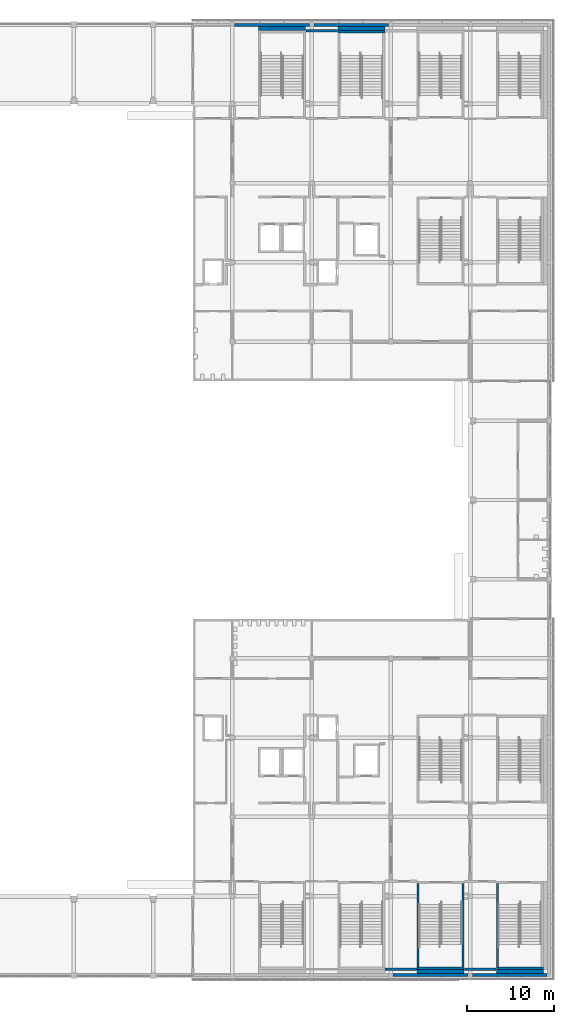
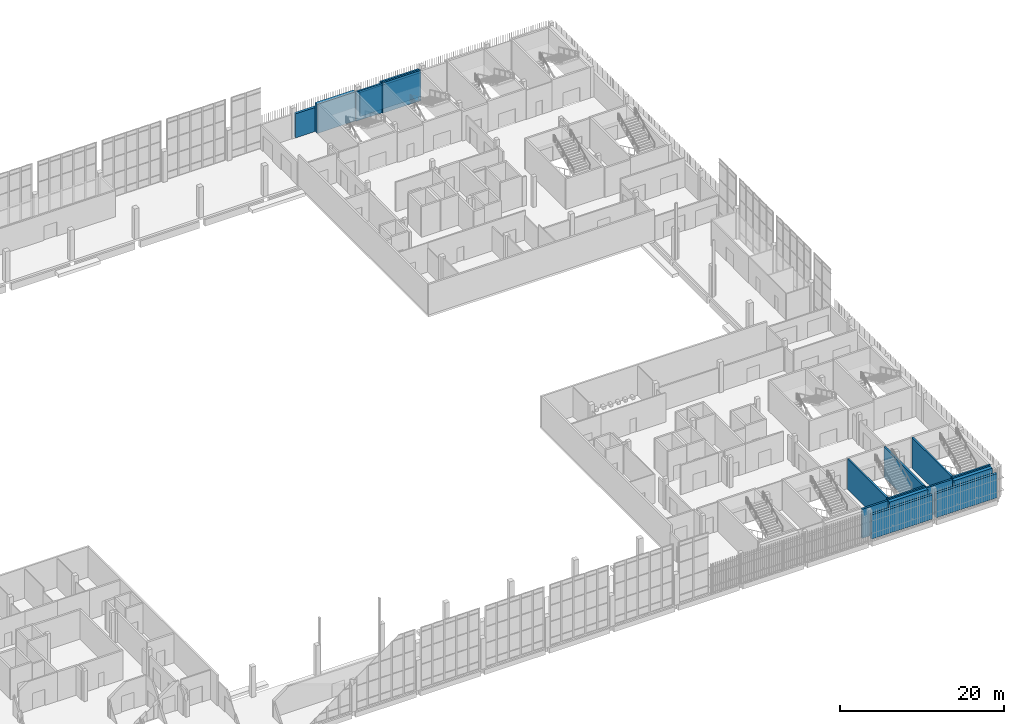
# One storey, part 53 of 91: 17 walls.
"""IFC4 building model written with IfcOpenShell, lengths in metres."""

from ifc_helpers import new_model, si_unit, direction, frame, frame_2d, origin, place, context, subcontext, project, spatial, rectangle, extrude, material, layer, layer_set, type_object, element, save


model = new_model("IFC4")

# Units and contexts
model_context = context("Model", 3, precision=1e-05, world=origin(), true_north=direction((0.0, 1.0)))
body_context = subcontext(model_context, "Body", "Model", "MODEL_VIEW")
ifc_project = project(units=[si_unit("LENGTHUNIT", "METRE"), si_unit("AREAUNIT", "SQUARE_METRE"), si_unit("VOLUMEUNIT", "CUBIC_METRE"), si_unit("PLANEANGLEUNIT", "RADIAN"), si_unit("MASSUNIT", "GRAM", prefix="KILO")], contexts=[model_context])

# Site, building, storey
site_placement = place(None, origin())
site = spatial("IfcSite", under=ifc_project, at=site_placement, CompositionType="ELEMENT")
building_placement = place(site_placement, origin())
building = spatial("IfcBuilding", under=site, at=building_placement, Name="Shirokan Park Arena", CompositionType="ELEMENT")
storey_placement = place(building_placement, frame((0.0, 0.0, 24.570068359375)))
storey = spatial("IfcBuildingStorey", under=building, at=storey_placement, Name="L05", CompositionType="ELEMENT", Elevation=24.570068359375)

# Walls
ifc_material_1 = material(Name="Plaster")
ifc_layer_1 = layer(ifc_material_1, 0.014892578125, Name="Plaster")
ifc_material_2 = material(Name="Concrete blockwork", Category="masonry")
ifc_layer_2 = layer(ifc_material_2, 0.219970703125, Name="Concrete blockwork 220")
ifc_layer_3 = layer(ifc_material_1, 0.014892578125, Name="Plaster")
ifc_layer_set_1 = layer_set([ifc_layer_1, ifc_layer_2, ifc_layer_3], Name="Plaster + Concrete blockwork 220")
wall_type_1 = type_object("IfcWallType", Name="Compartment wall 250", PredefinedType="SOLIDWALL", material=ifc_layer_set_1)
wall_1_placement = place(storey_placement, frame((117.6298828125, 108.5, 0.0), z_axis=(0.0, 0.0, 1.0), x_axis=(1.0, 0.0, 0.0)))
element("IfcWall", 1, at=wall_1_placement, inside=storey, type_object=wall_type_1, Name="Compartment wall 250 L05", PredefinedType="SOLIDWALL", context=body_context, shape_type="SweptSolid", body=[
    extrude(rectangle(XDim=3.64013671875, YDim=0.25, at=frame_2d((1.820068359375, 0.0))), origin(), (0.0, 0.0, 1.0), 4.349853515625),
])
wall_2_placement = place(storey_placement, frame((139.469970703125, 0.699951171875, 0.0), z_axis=(0.0, 0.0, 1.0), x_axis=(-1.0, 0.0, 0.0)))
element("IfcWall", 2, at=wall_2_placement, inside=storey, type_object=wall_type_1, Name="Compartment wall 250 L05", PredefinedType="SOLIDWALL", context=body_context, shape_type="SweptSolid", body=[
    extrude(rectangle(XDim=3.639892578125, YDim=0.25, at=frame_2d((1.81982421875, 0.0))), origin(), (0.0, 0.0, 1.0), 4.349853515625),
])
ifc_material_3 = material(Name="Cedar cladding")
ifc_layer_4 = layer(ifc_material_3, 0.030029296875, Name="Cedar cladding")
ifc_material_4 = material(Name="Mineral wool insulation")
ifc_layer_5 = layer(ifc_material_4, 0.10009765625, Name="Mineral wool insulation")
ifc_material_5 = material(Name="Concrete C35", Category="concrete")
ifc_layer_6 = layer(ifc_material_5, 0.199951171875, Name="Concrete C35")
ifc_material_6 = material(Name="Gypsum board lining")
ifc_layer_7 = layer(ifc_material_6, 0.02001953125, Name="Gypsum board lining")
ifc_layer_set_2 = layer_set([ifc_layer_4, ifc_layer_5, ifc_layer_6, ifc_layer_7], Name="Cedar cladding + Mineral wool insulation + Concrete C35 + Gypsum board lining")
wall_type_2 = type_object("IfcWallType", Name="Insulated tower wall 350", PredefinedType="SOLIDWALL", material=ifc_layer_set_2)
for number, where, z_axis, x_axis, name in (
    (3, (127.64990234375, 0.02490234375, 0.0), (0.0, 0.0, 1.0), (1.0, 0.0, 0.0), "South facade wall bay 15 L05"),
    (4, (136.75, 0.02490234375, 0.0), (0.0, 0.0, 1.0), (1.0, 0.0, 0.0), "South facade wall bay 16 L05"),
):
    element("IfcWall", number, at=place(storey_placement, frame(where, z_axis=z_axis, x_axis=x_axis)), inside=storey, type_object=wall_type_2, Name=name, PredefinedType="SOLIDWALL", context=body_context, shape_type="SweptSolid", body=[
        extrude(rectangle(XDim=8.60009765625, YDim=0.35009765625, at=frame_2d((4.300048828125, 0.0))), origin(), (0.0, 0.0, 1.0), 3.599853515625),
    ])
wall_3_placement = place(storey_placement, frame((127.14990234375, 109.175048828125, 0.0), z_axis=(0.0, 0.0, 1.0), x_axis=(-1.0, 0.0, 0.0)))
element("IfcWall", 5, at=wall_3_placement, inside=storey, type_object=wall_type_2, Name="North facade wall bay 3 L05", PredefinedType="SOLIDWALL", context=body_context, shape_type="SweptSolid", body=[
    extrude(rectangle(XDim=8.599853515625, YDim=0.35009765625, at=frame_2d((4.2998046875, 0.0))), origin(), (0.0, 0.0, 1.0), 3.599853515625),
])
wall_4_placement = place(storey_placement, frame((118.050048828125, 109.175048828125, 0.0), z_axis=(0.0, 0.0, 1.0), x_axis=(-1.0, 0.0, 0.0)))
element("IfcWall", 6, at=wall_4_placement, inside=storey, type_object=wall_type_2, Name="North facade wall bay 4 L05", PredefinedType="SOLIDWALL", context=body_context, shape_type="SweptSolid", body=[
    extrude(rectangle(XDim=8.60009765625, YDim=0.35009765625, at=frame_2d((4.300048828125, 0.0))), origin(), (0.0, 0.0, 1.0), 3.599853515625),
])
ifc_layer_8 = layer(ifc_material_1, 0.012451171875, Name="Plaster")
ifc_layer_9 = layer(ifc_material_2, 0.25, Name="Concrete blockwork 250")
ifc_layer_10 = layer(ifc_material_1, 0.012451171875, Name="Plaster")
ifc_layer_set_3 = layer_set([ifc_layer_8, ifc_layer_9, ifc_layer_10], Name="Plaster + Concrete blockwork 250")
wall_type_3 = type_object("IfcWallType", Name="Plant room wall 275", PredefinedType="SOLIDWALL", material=ifc_layer_set_3)
wall_5_placement = place(storey_placement, frame((130.3701171875, 0.699951171875, 0.0), z_axis=(0.0, 0.0, 1.0), x_axis=(-1.0, 0.0, 0.0)))
element("IfcWall", 7, at=wall_5_placement, inside=storey, type_object=wall_type_3, Name="Plant room wall 275 L05", PredefinedType="SOLIDWALL", context=body_context, shape_type="SweptSolid", body=[
    extrude(rectangle(XDim=3.64013671875, YDim=0.27490234375, at=frame_2d((1.820068359375, 0.0))), origin(), (0.0, 0.0, 1.0), 4.349853515625),
])
ifc_material_7 = material(Name="Concrete C40/50", Category="concrete")
ifc_layer_11 = layer(ifc_material_7, 0.25)
ifc_layer_set_4 = layer_set([ifc_layer_11], Name="Concrete C40/50 250 mm")
wall_type_4 = type_object("IfcWallType", Name="RC shear wall 250", PredefinedType="SHEAR", material=ifc_layer_set_4)
wall_6_placement = place(storey_placement, frame((144.89990234375, 0.824951171875, 0.0), z_axis=(0.0, 0.0, 1.0), x_axis=(-1.0, 0.0, 0.0)))
element("IfcWall", 8, at=wall_6_placement, inside=storey, type_object=wall_type_4, Name="Shaft wall Exit Stair 2.A S L05", PredefinedType="SHEAR", context=body_context, shape_type="SweptSolid", body=[
    extrude(rectangle(XDim=5.39990234375, YDim=0.25, at=frame_2d((2.699951171875, 0.0))), origin(), (0.0, 0.0, 1.0), 4.550048828125),
])
wall_7_placement = place(storey_placement, frame((139.625, 10.550048828125, 0.0), z_axis=(0.0, 0.0, 1.0), x_axis=(0.0, -1.0, 0.0)))
element("IfcWall", 9, at=wall_7_placement, inside=storey, type_object=wall_type_4, Name="Shaft wall Exit Stair 2.A W L05", PredefinedType="SHEAR", context=body_context, shape_type="SweptSolid", body=[
    extrude(rectangle(XDim=9.60009765625, YDim=0.25, at=frame_2d((4.800048828125, 0.0))), origin(), (0.0, 0.0, 1.0), 4.550048828125),
])
wall_8_placement = place(storey_placement, frame((135.800048828125, 0.824951171875, 0.0), z_axis=(0.0, 0.0, 1.0), x_axis=(-1.0, 0.0, 0.0)))
element("IfcWall", 10, at=wall_8_placement, inside=storey, type_object=wall_type_4, Name="Shaft wall Exit Stair 2.B S L05", PredefinedType="SHEAR", context=body_context, shape_type="SweptSolid", body=[
    extrude(rectangle(XDim=5.400146484375, YDim=0.25, at=frame_2d((2.7001953125, 0.0))), origin(), (0.0, 0.0, 1.0), 4.550048828125),
])
for number, where, z_axis, x_axis, name in (
    (11, (130.52490234375, 10.550048828125, 0.0), (0.0, 0.0, 1.0), (0.0, -1.0, 0.0), "Shaft wall Exit Stair 2.B W L05"),
    (12, (135.675048828125, 10.550048828125, 0.0), (0.0, 0.0, 1.0), (0.0, -1.0, 0.0), "Shaft wall Exit Stair 2.B E L05"),
):
    element("IfcWall", number, at=place(storey_placement, frame(where, z_axis=z_axis, x_axis=x_axis)), inside=storey, type_object=wall_type_4, Name=name, PredefinedType="SHEAR", context=body_context, shape_type="SweptSolid", body=[
        extrude(rectangle(XDim=9.60009765625, YDim=0.25, at=frame_2d((4.800048828125, 0.0))), origin(), (0.0, 0.0, 1.0), 4.550048828125),
    ])
wall_9_placement = place(storey_placement, frame((126.699951171875, 108.375, 0.0), z_axis=(0.0, 0.0, 1.0), x_axis=(-1.0, 0.0, 0.0)))
element("IfcWall", 13, at=wall_9_placement, inside=storey, type_object=wall_type_4, Name="Shaft wall Exit Stair 3.C N L05", PredefinedType="SHEAR", context=body_context, shape_type="SweptSolid", body=[
    extrude(rectangle(XDim=5.39990234375, YDim=0.25, at=frame_2d((2.699951171875, 0.0))), origin(), (0.0, 0.0, 1.0), 4.550048828125),
])
ifc_layer_12 = layer(ifc_material_5, 0.5)
ifc_layer_set_5 = layer_set([ifc_layer_12], Name="Concrete C35 500 mm")
wall_type_5 = type_object("IfcWallType", Name="Shaft infill wall 500", PredefinedType="SOLIDWALL", material=ifc_layer_set_5)
wall_10_placement = place(storey_placement, frame((139.5, 0.449951171875, 0.0), z_axis=(0.0, 0.0, 1.0), x_axis=(1.0, 0.0, 0.0)))
element("IfcWall", 14, at=wall_10_placement, inside=storey, type_object=wall_type_5, Name="Shaft infill wall L05", PredefinedType="SOLIDWALL", context=body_context, shape_type="SweptSolid", body=[
    extrude(rectangle(XDim=5.39990234375, YDim=0.5, at=frame_2d((2.699951171875, 0.0))), origin(), (0.0, 0.0, 1.0), 4.349853515625),
])
wall_11_placement = place(storey_placement, frame((130.39990234375, 0.449951171875, 0.0), z_axis=(0.0, 0.0, 1.0), x_axis=(1.0, 0.0, 0.0)))
element("IfcWall", 15, at=wall_11_placement, inside=storey, type_object=wall_type_5, Name="Shaft infill wall L05", PredefinedType="SOLIDWALL", context=body_context, shape_type="SweptSolid", body=[
    extrude(rectangle(XDim=5.400146484375, YDim=0.5, at=frame_2d((2.7001953125, 0.0))), origin(), (0.0, 0.0, 1.0), 4.349853515625),
])
wall_12_placement = place(storey_placement, frame((121.300048828125, 108.75, 0.0), z_axis=(0.0, 0.0, 1.0), x_axis=(1.0, 0.0, 0.0)))
element("IfcWall", 16, at=wall_12_placement, inside=storey, type_object=wall_type_5, Name="Shaft infill wall L05", PredefinedType="SOLIDWALL", context=body_context, shape_type="SweptSolid", body=[
    extrude(rectangle(XDim=5.39990234375, YDim=0.5, at=frame_2d((2.699951171875, 0.0))), origin(), (0.0, 0.0, 1.0), 4.349853515625),
])
wall_13_placement = place(storey_placement, frame((112.199951171875, 108.75, 0.0), z_axis=(0.0, 0.0, 1.0), x_axis=(1.0, 0.0, 0.0)))
element("IfcWall", 17, at=wall_13_placement, inside=storey, type_object=wall_type_5, Name="Shaft infill wall L05", PredefinedType="SOLIDWALL", context=body_context, shape_type="SweptSolid", body=[
    extrude(rectangle(XDim=5.400146484375, YDim=0.5, at=frame_2d((2.7001953125, 0.0))), origin(), (0.0, 0.0, 1.0), 4.349853515625),
])

save(model, "model.ifc")
